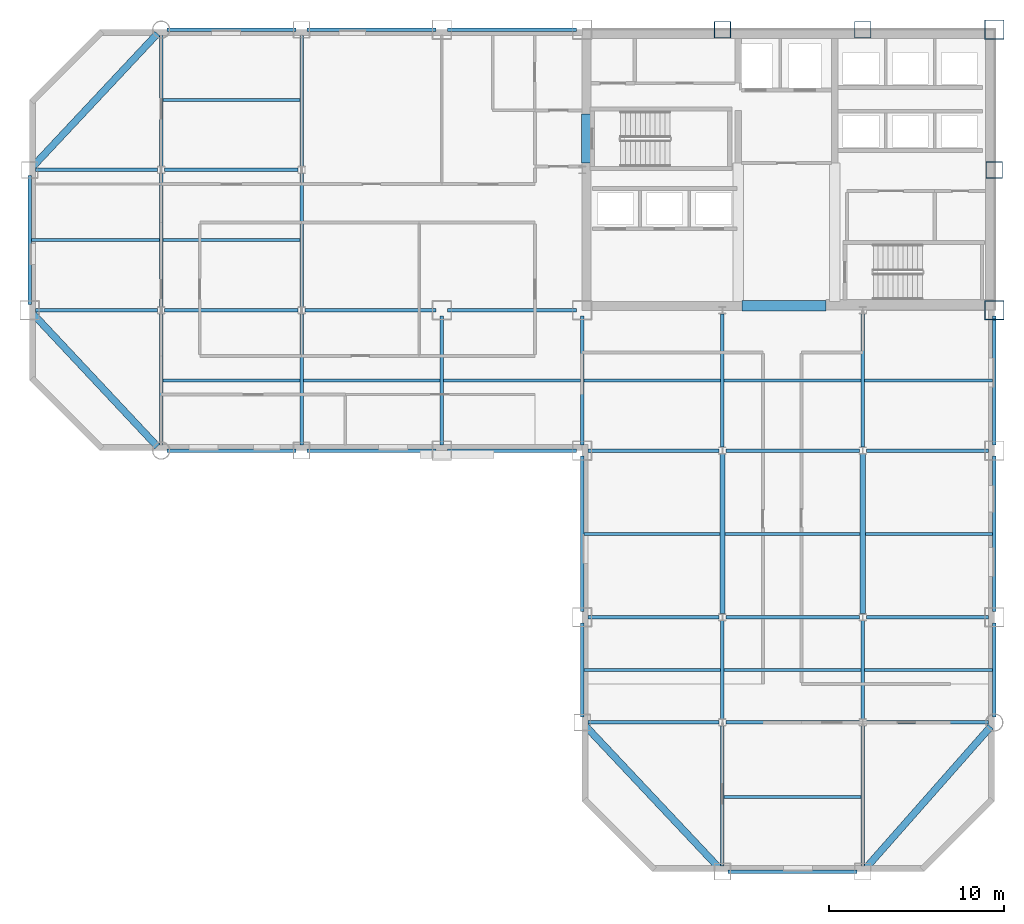
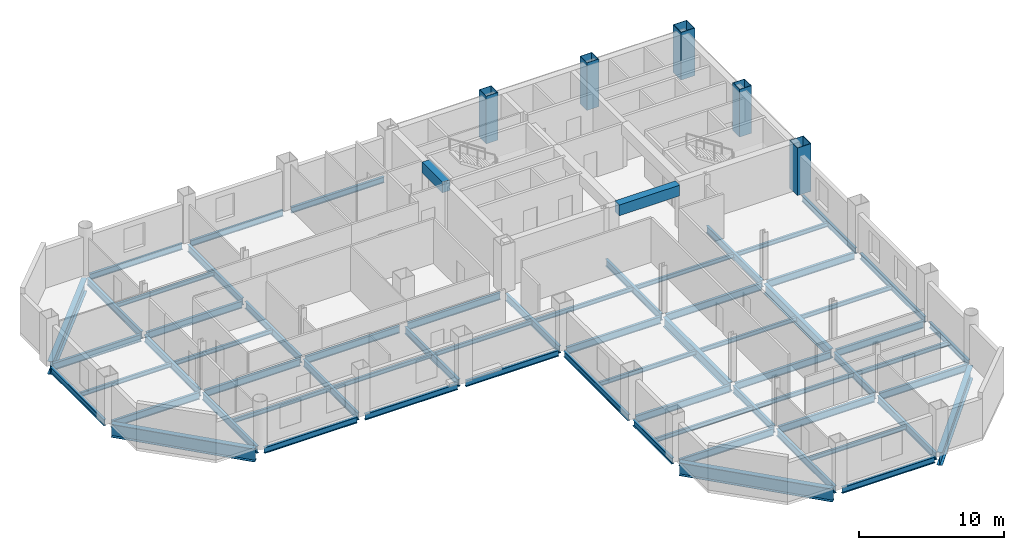
# One storey, part 4 of 10: 66 beams, 5 columns.
"""IFC4 building model written with IfcOpenShell, lengths in metres."""

from ifc_helpers import new_model, si_unit, direction, frame, origin, origin_2d, place, context, subcontext, project, spatial, rectangle, hollow_rectangle, i_section, extrude, material, material_profile, profile_set, type_object, element, save


model = new_model("IFC4")

# Units and contexts
model_context = context("Model", 3, precision=1e-05, world=origin(), true_north=direction((0.0, 1.0)))
body_context = subcontext(model_context, "Body", "Model", "MODEL_VIEW")
ifc_project = project(units=[si_unit("LENGTHUNIT", "METRE"), si_unit("AREAUNIT", "SQUARE_METRE"), si_unit("VOLUMEUNIT", "CUBIC_METRE"), si_unit("PLANEANGLEUNIT", "RADIAN"), si_unit("MASSUNIT", "GRAM", prefix="KILO")], contexts=[model_context])

# Site, building, storey
site_placement = place(None, origin())
site = spatial("IfcSite", under=ifc_project, at=site_placement, CompositionType="ELEMENT")
building_placement = place(site_placement, origin())
building = spatial("IfcBuilding", under=site, at=building_placement, Name="Qianrong Seaharbour Tower", CompositionType="ELEMENT")
storey_placement = place(building_placement, frame((0.0, 0.0, 131.0)))
storey = spatial("IfcBuildingStorey", under=building, at=storey_placement, Name="L31", CompositionType="ELEMENT", Elevation=131.0)

# Columns
ifc_material_1 = material(Name="Structural steel SN490B", Category="steel")
ifc_material_profile_1 = material_profile(ifc_material_1, hollow_rectangle(XDim=1.10009765625, YDim=1.10009765625, WallThickness=0.0400390625, at=origin_2d()), Name="BOX1100x1100x40")
ifc_profile_set_1 = profile_set([ifc_material_profile_1], Name="Structural steel SN490B")
column_type_1 = type_object("IfcColumnType", Name="COL-CFT-1100", PredefinedType="COLUMN", material=ifc_profile_set_1)
for number, where, z_axis, x_axis, name in (
    (1, (64.0, 36.0, 0.0), (0.0, 0.0, 1.0), (1.0, 0.0, 0.0), "L31 Column MC-3 at G9/GF"),
    (2, (64.0, 52.0, 0.0), (0.0, 0.0, 1.0), (1.0, 0.0, 0.0), "L31 Column MC-3 at G9/GH"),
):
    element("IfcColumn", number, at=place(storey_placement, frame(where, z_axis=z_axis, x_axis=x_axis)), inside=storey, type_object=column_type_1, Name=name, PredefinedType="COLUMN", context=body_context, shape_type="SweptSolid", body=[
        extrude(hollow_rectangle(XDim=1.10009765625, YDim=1.10009765625, WallThickness=0.0400390625, at=origin_2d()), origin(), (0.0, 0.0, 1.0), 4.0),
    ])
ifc_material_profile_2 = material_profile(ifc_material_1, hollow_rectangle(XDim=0.949951171875, YDim=0.949951171875, WallThickness=0.035888671875, at=origin_2d()), Name="BOX950x950x36")
ifc_profile_set_2 = profile_set([ifc_material_profile_2], Name="Structural steel SN490B")
column_type_2 = type_object("IfcColumnType", Name="COL-PER-950", PredefinedType="COLUMN", material=ifc_profile_set_2)
for number, where, z_axis, x_axis, name in (
    (3, (48.5, 52.0, 0.0), (0.0, 0.0, 1.0), (1.0, 0.0, 0.0), "L31 Column PC-2 at G7/GH"),
    (4, (56.5, 52.0, 0.0), (0.0, 0.0, 1.0), (1.0, 0.0, 0.0), "L31 Column PC-2 at G8/GH"),
    (5, (64.0, 44.0, 0.0), (0.0, 0.0, 1.0), (1.0, 0.0, 0.0), "L31 Column PC-2 at G9/GG"),
):
    element("IfcColumn", number, at=place(storey_placement, frame(where, z_axis=z_axis, x_axis=x_axis)), inside=storey, type_object=column_type_2, Name=name, PredefinedType="COLUMN", context=body_context, shape_type="SweptSolid", body=[
        extrude(hollow_rectangle(XDim=0.949951171875, YDim=0.949951171875, WallThickness=0.035888671875, at=origin_2d()), origin(), (0.0, 0.0, 1.0), 4.0),
    ])

# Beams
ifc_material_profile_3 = material_profile(ifc_material_1, i_section(OverallWidth=0.199951171875, OverallDepth=0.60009765625, WebThickness=0.010986328125, FlangeThickness=0.01708984375, FilletRadius=0.02197265625, at=origin_2d()), Name="H600x200x11x17")
ifc_profile_set_3 = profile_set([ifc_material_profile_3], Name="Structural steel SN490B")
beam_type_1 = type_object("IfcBeamType", Name="BM-G-600", PredefinedType="BEAM", material=ifc_profile_set_3)
beam_1_placement = place(storey_placement, frame((40.820068359375, 12.5, -0.534912109375), z_axis=(1.0, 0.0, 0.0), x_axis=(0.0, 1.0, 0.0)))
element("IfcBeam", 6, at=beam_1_placement, inside=storey, type_object=beam_type_1, Name="L31 Primary Girder GC G6-G7", PredefinedType="BEAM", context=body_context, shape_type="SweptSolid", body=[
    extrude(i_section(OverallWidth=0.199951171875, OverallDepth=0.60009765625, WebThickness=0.010986328125, FlangeThickness=0.01708984375, FilletRadius=0.02197265625, at=origin_2d()), origin(), (0.0, 0.0, 1.0), 7.47998046875),
])
beam_2_placement = place(storey_placement, frame((48.699951171875, 12.5, -0.534912109375), z_axis=(1.0, 0.0, 0.0), x_axis=(0.0, 1.0, 0.0)))
element("IfcBeam", 7, at=beam_2_placement, inside=storey, type_object=beam_type_1, Name="L31 Primary Girder GC G7-G8", PredefinedType="BEAM", context=body_context, shape_type="SweptSolid", body=[
    extrude(i_section(OverallWidth=0.199951171875, OverallDepth=0.60009765625, WebThickness=0.010986328125, FlangeThickness=0.01708984375, FilletRadius=0.02197265625, at=origin_2d()), origin(), (0.0, 0.0, 1.0), 7.60009765625),
])
beam_3_placement = place(storey_placement, frame((56.699951171875, 12.5, -0.534912109375), z_axis=(1.0, 0.0, 0.0), x_axis=(0.0, 1.0, 0.0)))
element("IfcBeam", 8, at=beam_3_placement, inside=storey, type_object=beam_type_1, Name="L31 Primary Girder GC G8-G9", PredefinedType="BEAM", context=body_context, shape_type="SweptSolid", body=[
    extrude(i_section(OverallWidth=0.199951171875, OverallDepth=0.60009765625, WebThickness=0.010986328125, FlangeThickness=0.01708984375, FilletRadius=0.02197265625, at=origin_2d()), origin(), (0.0, 0.0, 1.0), 6.97998046875),
])
beam_4_placement = place(storey_placement, frame((40.820068359375, 18.5, -0.534912109375), z_axis=(1.0, 0.0, 0.0), x_axis=(0.0, 1.0, 0.0)))
element("IfcBeam", 9, at=beam_4_placement, inside=storey, type_object=beam_type_1, Name="L31 Primary Girder GD G6-G7", PredefinedType="BEAM", context=body_context, shape_type="SweptSolid", body=[
    extrude(i_section(OverallWidth=0.199951171875, OverallDepth=0.60009765625, WebThickness=0.010986328125, FlangeThickness=0.01708984375, FilletRadius=0.02197265625, at=origin_2d()), origin(), (0.0, 0.0, 1.0), 7.47998046875),
])
beam_5_placement = place(storey_placement, frame((48.699951171875, 18.5, -0.534912109375), z_axis=(1.0, 0.0, 0.0), x_axis=(0.0, 1.0, 0.0)))
element("IfcBeam", 10, at=beam_5_placement, inside=storey, type_object=beam_type_1, Name="L31 Primary Girder GD G7-G8", PredefinedType="BEAM", context=body_context, shape_type="SweptSolid", body=[
    extrude(i_section(OverallWidth=0.199951171875, OverallDepth=0.60009765625, WebThickness=0.010986328125, FlangeThickness=0.01708984375, FilletRadius=0.02197265625, at=origin_2d()), origin(), (0.0, 0.0, 1.0), 7.60009765625),
])
beam_6_placement = place(storey_placement, frame((56.699951171875, 18.5, -0.534912109375), z_axis=(1.0, 0.0, 0.0), x_axis=(0.0, 1.0, 0.0)))
element("IfcBeam", 11, at=beam_6_placement, inside=storey, type_object=beam_type_1, Name="L31 Primary Girder GD G8-G9", PredefinedType="BEAM", context=body_context, shape_type="SweptSolid", body=[
    extrude(i_section(OverallWidth=0.199951171875, OverallDepth=0.60009765625, WebThickness=0.010986328125, FlangeThickness=0.01708984375, FilletRadius=0.02197265625, at=origin_2d()), origin(), (0.0, 0.0, 1.0), 6.97998046875),
])
beam_7_placement = place(storey_placement, frame((40.820068359375, 28.0, -0.534912109375), z_axis=(1.0, 0.0, 0.0), x_axis=(0.0, 1.0, 0.0)))
element("IfcBeam", 12, at=beam_7_placement, inside=storey, type_object=beam_type_1, Name="L31 Primary Girder GE G6-G7", PredefinedType="BEAM", context=body_context, shape_type="SweptSolid", body=[
    extrude(i_section(OverallWidth=0.199951171875, OverallDepth=0.60009765625, WebThickness=0.010986328125, FlangeThickness=0.01708984375, FilletRadius=0.02197265625, at=origin_2d()), origin(), (0.0, 0.0, 1.0), 7.47998046875),
])
beam_8_placement = place(storey_placement, frame((48.699951171875, 28.0, -0.534912109375), z_axis=(1.0, 0.0, 0.0), x_axis=(0.0, 1.0, 0.0)))
element("IfcBeam", 13, at=beam_8_placement, inside=storey, type_object=beam_type_1, Name="L31 Primary Girder GE G7-G8", PredefinedType="BEAM", context=body_context, shape_type="SweptSolid", body=[
    extrude(i_section(OverallWidth=0.199951171875, OverallDepth=0.60009765625, WebThickness=0.010986328125, FlangeThickness=0.01708984375, FilletRadius=0.02197265625, at=origin_2d()), origin(), (0.0, 0.0, 1.0), 7.60009765625),
])
for number, where, z_axis, x_axis, name in (
    (14, (56.699951171875, 28.0, -0.534912109375), (1.0, 0.0, 0.0), (0.0, 1.0, 0.0), "L31 Primary Girder GE G8-G9"),
    (15, (9.320068359375, 36.0, -0.534912109375), (1.0, 0.0, 0.0), (0.0, 1.0, 0.0), "L31 Primary Girder GF G2-G3"),
):
    element("IfcBeam", number, at=place(storey_placement, frame(where, z_axis=z_axis, x_axis=x_axis)), inside=storey, type_object=beam_type_1, Name=name, PredefinedType="BEAM", context=body_context, shape_type="SweptSolid", body=[
        extrude(i_section(OverallWidth=0.199951171875, OverallDepth=0.60009765625, WebThickness=0.010986328125, FlangeThickness=0.01708984375, FilletRadius=0.02197265625, at=origin_2d()), origin(), (0.0, 0.0, 1.0), 6.97998046875),
    ])
beam_9_placement = place(storey_placement, frame((16.699951171875, 36.0, -0.534912109375), z_axis=(1.0, 0.0, 0.0), x_axis=(0.0, 1.0, 0.0)))
element("IfcBeam", 16, at=beam_9_placement, inside=storey, type_object=beam_type_1, Name="L31 Primary Girder GF G3-G4", PredefinedType="BEAM", context=body_context, shape_type="SweptSolid", body=[
    extrude(i_section(OverallWidth=0.199951171875, OverallDepth=0.60009765625, WebThickness=0.010986328125, FlangeThickness=0.01708984375, FilletRadius=0.02197265625, at=origin_2d()), origin(), (0.0, 0.0, 1.0), 7.60009765625),
])
beam_10_placement = place(storey_placement, frame((24.699951171875, 36.0, -0.534912109375), z_axis=(1.0, 0.0, 0.0), x_axis=(0.0, 1.0, 0.0)))
element("IfcBeam", 17, at=beam_10_placement, inside=storey, type_object=beam_type_1, Name="L31 Primary Girder GF G4-G5", PredefinedType="BEAM", context=body_context, shape_type="SweptSolid", body=[
    extrude(i_section(OverallWidth=0.199951171875, OverallDepth=0.60009765625, WebThickness=0.010986328125, FlangeThickness=0.01708984375, FilletRadius=0.02197265625, at=origin_2d()), origin(), (0.0, 0.0, 1.0), 7.47998046875),
])
beam_11_placement = place(storey_placement, frame((32.820068359375, 36.0, -0.534912109375), z_axis=(1.0, 0.0, 0.0), x_axis=(0.0, 1.0, 0.0)))
element("IfcBeam", 18, at=beam_11_placement, inside=storey, type_object=beam_type_1, Name="L31 Primary Girder GF G5-G6", PredefinedType="BEAM", context=body_context, shape_type="SweptSolid", body=[
    extrude(i_section(OverallWidth=0.199951171875, OverallDepth=0.60009765625, WebThickness=0.010986328125, FlangeThickness=0.01708984375, FilletRadius=0.02197265625, at=origin_2d()), origin(), (0.0, 0.0, 1.0), 7.35986328125),
])
beam_12_placement = place(storey_placement, frame((9.320068359375, 44.0, -0.534912109375), z_axis=(1.0, 0.0, 0.0), x_axis=(0.0, 1.0, 0.0)))
element("IfcBeam", 19, at=beam_12_placement, inside=storey, type_object=beam_type_1, Name="L31 Primary Girder GG G2-G3", PredefinedType="BEAM", context=body_context, shape_type="SweptSolid", body=[
    extrude(i_section(OverallWidth=0.199951171875, OverallDepth=0.60009765625, WebThickness=0.010986328125, FlangeThickness=0.01708984375, FilletRadius=0.02197265625, at=origin_2d()), origin(), (0.0, 0.0, 1.0), 6.97998046875),
])
beam_13_placement = place(storey_placement, frame((16.699951171875, 44.0, -0.534912109375), z_axis=(1.0, 0.0, 0.0), x_axis=(0.0, 1.0, 0.0)))
element("IfcBeam", 20, at=beam_13_placement, inside=storey, type_object=beam_type_1, Name="L31 Primary Girder GG G3-G4", PredefinedType="BEAM", context=body_context, shape_type="SweptSolid", body=[
    extrude(i_section(OverallWidth=0.199951171875, OverallDepth=0.60009765625, WebThickness=0.010986328125, FlangeThickness=0.01708984375, FilletRadius=0.02197265625, at=origin_2d()), origin(), (0.0, 0.0, 1.0), 7.60009765625),
])
beam_14_placement = place(storey_placement, frame((16.5, 28.320068359375, -0.534912109375), z_axis=(0.0, 1.0, 0.0), x_axis=(-1.0, 0.0, 0.0)))
element("IfcBeam", 21, at=beam_14_placement, inside=storey, type_object=beam_type_1, Name="L31 Primary Girder G3 GE-GF", PredefinedType="BEAM", context=body_context, shape_type="SweptSolid", body=[
    extrude(i_section(OverallWidth=0.199951171875, OverallDepth=0.60009765625, WebThickness=0.010986328125, FlangeThickness=0.01708984375, FilletRadius=0.02197265625, at=origin_2d()), origin(), (0.0, 0.0, 1.0), 7.47998046875),
])
beam_15_placement = place(storey_placement, frame((16.5, 36.199951171875, -0.534912109375), z_axis=(0.0, 1.0, 0.0), x_axis=(-1.0, 0.0, 0.0)))
element("IfcBeam", 22, at=beam_15_placement, inside=storey, type_object=beam_type_1, Name="L31 Primary Girder G3 GF-GG", PredefinedType="BEAM", context=body_context, shape_type="SweptSolid", body=[
    extrude(i_section(OverallWidth=0.199951171875, OverallDepth=0.60009765625, WebThickness=0.010986328125, FlangeThickness=0.01708984375, FilletRadius=0.02197265625, at=origin_2d()), origin(), (0.0, 0.0, 1.0), 7.60009765625),
])
for number, where, z_axis, x_axis, name in (
    (23, (16.5, 44.199951171875, -0.534912109375), (0.0, 1.0, 0.0), (-1.0, 0.0, 0.0), "L31 Primary Girder G3 GG-GH"),
    (24, (24.5, 28.320068359375, -0.534912109375), (0.0, 1.0, 0.0), (-1.0, 0.0, 0.0), "L31 Primary Girder G4 GE-GF"),
):
    element("IfcBeam", number, at=place(storey_placement, frame(where, z_axis=z_axis, x_axis=x_axis)), inside=storey, type_object=beam_type_1, Name=name, PredefinedType="BEAM", context=body_context, shape_type="SweptSolid", body=[
        extrude(i_section(OverallWidth=0.199951171875, OverallDepth=0.60009765625, WebThickness=0.010986328125, FlangeThickness=0.01708984375, FilletRadius=0.02197265625, at=origin_2d()), origin(), (0.0, 0.0, 1.0), 7.47998046875),
    ])
beam_16_placement = place(storey_placement, frame((24.5, 36.199951171875, -0.534912109375), z_axis=(0.0, 1.0, 0.0), x_axis=(-1.0, 0.0, 0.0)))
element("IfcBeam", 25, at=beam_16_placement, inside=storey, type_object=beam_type_1, Name="L31 Primary Girder G4 GF-GG", PredefinedType="BEAM", context=body_context, shape_type="SweptSolid", body=[
    extrude(i_section(OverallWidth=0.199951171875, OverallDepth=0.60009765625, WebThickness=0.010986328125, FlangeThickness=0.01708984375, FilletRadius=0.02197265625, at=origin_2d()), origin(), (0.0, 0.0, 1.0), 7.60009765625),
])
beam_17_placement = place(storey_placement, frame((24.5, 44.199951171875, -0.534912109375), z_axis=(0.0, 1.0, 0.0), x_axis=(-1.0, 0.0, 0.0)))
element("IfcBeam", 26, at=beam_17_placement, inside=storey, type_object=beam_type_1, Name="L31 Primary Girder G4 GG-GH", PredefinedType="BEAM", context=body_context, shape_type="SweptSolid", body=[
    extrude(i_section(OverallWidth=0.199951171875, OverallDepth=0.60009765625, WebThickness=0.010986328125, FlangeThickness=0.01708984375, FilletRadius=0.02197265625, at=origin_2d()), origin(), (0.0, 0.0, 1.0), 7.47998046875),
])
for number, where, z_axis, x_axis, name in (
    (27, (32.5, 28.320068359375, -0.534912109375), (0.0, 1.0, 0.0), (-1.0, 0.0, 0.0), "L31 Primary Girder G5 GE-GF"),
    (28, (40.5, 28.320068359375, -0.534912109375), (0.0, 1.0, 0.0), (-1.0, 0.0, 0.0), "L31 Primary Girder G6 GE-GF"),
):
    element("IfcBeam", number, at=place(storey_placement, frame(where, z_axis=z_axis, x_axis=x_axis)), inside=storey, type_object=beam_type_1, Name=name, PredefinedType="BEAM", context=body_context, shape_type="SweptSolid", body=[
        extrude(i_section(OverallWidth=0.199951171875, OverallDepth=0.60009765625, WebThickness=0.010986328125, FlangeThickness=0.01708984375, FilletRadius=0.02197265625, at=origin_2d()), origin(), (0.0, 0.0, 1.0), 7.35986328125),
    ])
beam_18_placement = place(storey_placement, frame((48.5, 4.320068359375, -0.534912109375), z_axis=(0.0, 1.0, 0.0), x_axis=(-1.0, 0.0, 0.0)))
element("IfcBeam", 29, at=beam_18_placement, inside=storey, type_object=beam_type_1, Name="L31 Primary Girder G7 GB-GC", PredefinedType="BEAM", context=body_context, shape_type="SweptSolid", body=[
    extrude(i_section(OverallWidth=0.199951171875, OverallDepth=0.60009765625, WebThickness=0.010986328125, FlangeThickness=0.01708984375, FilletRadius=0.02197265625, at=origin_2d()), origin(), (0.0, 0.0, 1.0), 7.97998046875),
])
beam_19_placement = place(storey_placement, frame((48.5, 12.699951171875, -0.534912109375), z_axis=(0.0, 1.0, 0.0), x_axis=(-1.0, 0.0, 0.0)))
element("IfcBeam", 30, at=beam_19_placement, inside=storey, type_object=beam_type_1, Name="L31 Primary Girder G7 GC-GD", PredefinedType="BEAM", context=body_context, shape_type="SweptSolid", body=[
    extrude(i_section(OverallWidth=0.199951171875, OverallDepth=0.60009765625, WebThickness=0.010986328125, FlangeThickness=0.01708984375, FilletRadius=0.02197265625, at=origin_2d()), origin(), (0.0, 0.0, 1.0), 5.60009765625),
])
beam_20_placement = place(storey_placement, frame((48.5, 28.199951171875, -0.534912109375), z_axis=(0.0, 1.0, 0.0), x_axis=(-1.0, 0.0, 0.0)))
element("IfcBeam", 31, at=beam_20_placement, inside=storey, type_object=beam_type_1, Name="L31 Primary Girder G7 GE-GF", PredefinedType="BEAM", context=body_context, shape_type="SweptSolid", body=[
    extrude(i_section(OverallWidth=0.199951171875, OverallDepth=0.60009765625, WebThickness=0.010986328125, FlangeThickness=0.01708984375, FilletRadius=0.02197265625, at=origin_2d()), origin(), (0.0, 0.0, 1.0), 7.60009765625),
])
beam_21_placement = place(storey_placement, frame((56.5, 4.320068359375, -0.534912109375), z_axis=(0.0, 1.0, 0.0), x_axis=(-1.0, 0.0, 0.0)))
element("IfcBeam", 32, at=beam_21_placement, inside=storey, type_object=beam_type_1, Name="L31 Primary Girder G8 GB-GC", PredefinedType="BEAM", context=body_context, shape_type="SweptSolid", body=[
    extrude(i_section(OverallWidth=0.199951171875, OverallDepth=0.60009765625, WebThickness=0.010986328125, FlangeThickness=0.01708984375, FilletRadius=0.02197265625, at=origin_2d()), origin(), (0.0, 0.0, 1.0), 7.97998046875),
])
beam_22_placement = place(storey_placement, frame((56.5, 12.699951171875, -0.534912109375), z_axis=(0.0, 1.0, 0.0), x_axis=(-1.0, 0.0, 0.0)))
element("IfcBeam", 33, at=beam_22_placement, inside=storey, type_object=beam_type_1, Name="L31 Primary Girder G8 GC-GD", PredefinedType="BEAM", context=body_context, shape_type="SweptSolid", body=[
    extrude(i_section(OverallWidth=0.199951171875, OverallDepth=0.60009765625, WebThickness=0.010986328125, FlangeThickness=0.01708984375, FilletRadius=0.02197265625, at=origin_2d()), origin(), (0.0, 0.0, 1.0), 5.60009765625),
])
beam_23_placement = place(storey_placement, frame((56.5, 28.199951171875, -0.534912109375), z_axis=(0.0, 1.0, 0.0), x_axis=(-1.0, 0.0, 0.0)))
element("IfcBeam", 34, at=beam_23_placement, inside=storey, type_object=beam_type_1, Name="L31 Primary Girder G8 GE-GF", PredefinedType="BEAM", context=body_context, shape_type="SweptSolid", body=[
    extrude(i_section(OverallWidth=0.199951171875, OverallDepth=0.60009765625, WebThickness=0.010986328125, FlangeThickness=0.01708984375, FilletRadius=0.02197265625, at=origin_2d()), origin(), (0.0, 0.0, 1.0), 7.60009765625),
])
ifc_material_profile_4 = material_profile(ifc_material_1, i_section(OverallWidth=0.300048828125, OverallDepth=0.800048828125, WebThickness=0.013916015625, FlangeThickness=0.02587890625, FilletRadius=0.028076171875, at=origin_2d()), Name="H800x300x14x26")
ifc_profile_set_4 = profile_set([ifc_material_profile_4], Name="Structural steel SN490B")
beam_type_2 = type_object("IfcBeamType", Name="BM-G-800", PredefinedType="BEAM", material=ifc_profile_set_4)
for number, where, z_axis, x_axis, name in (
    (35, (48.5, 18.699951171875, -0.635009765625), (0.0, 1.0, 0.0), (-1.0, 0.0, 0.0), "L31 Primary Girder G7 GD-GE"),
    (36, (56.5, 18.699951171875, -0.635009765625), (0.0, 1.0, 0.0), (-1.0, 0.0, 0.0), "L31 Primary Girder G8 GD-GE"),
):
    element("IfcBeam", number, at=place(storey_placement, frame(where, z_axis=z_axis, x_axis=x_axis)), inside=storey, type_object=beam_type_2, Name=name, PredefinedType="BEAM", context=body_context, shape_type="SweptSolid", body=[
        extrude(i_section(OverallWidth=0.300048828125, OverallDepth=0.800048828125, WebThickness=0.013916015625, FlangeThickness=0.02587890625, FilletRadius=0.028076171875, at=origin_2d()), origin(), (0.0, 0.0, 1.0), 9.10009765625),
    ])
ifc_material_2 = material(Name="Structural steel SN400B", Category="steel")
ifc_material_profile_5 = material_profile(ifc_material_2, i_section(OverallWidth=0.175048828125, OverallDepth=0.35009765625, WebThickness=0.007080078125, FlangeThickness=0.010986328125, FilletRadius=0.013916015625, at=origin_2d()), Name="H350x175x7x11")
ifc_profile_set_5 = profile_set([ifc_material_profile_5], Name="Structural steel SN400B")
beam_type_3 = type_object("IfcBeamType", Name="BM-J-350", PredefinedType="JOIST", material=ifc_profile_set_5)
beam_24_placement = place(storey_placement, frame((9.10009765625, 40.0, -0.409912109375), z_axis=(1.0, 0.0, 0.0), x_axis=(0.0, 1.0, 0.0)))
element("IfcBeam", 37, at=beam_24_placement, inside=storey, type_object=beam_type_3, Name="L31 Composite Floor Joist G2-G3/GF-GG", PredefinedType="JOIST", context=body_context, shape_type="SweptSolid", body=[
    extrude(i_section(OverallWidth=0.175048828125, OverallDepth=0.35009765625, WebThickness=0.007080078125, FlangeThickness=0.010986328125, FilletRadius=0.013916015625, at=origin_2d()), origin(), (0.0, 0.0, 1.0), 7.2998046875),
])
for number, where, z_axis, x_axis, name in (
    (38, (16.60009765625, 32.0, -0.409912109375), (1.0, 0.0, 0.0), (0.0, 1.0, 0.0), "L31 Composite Floor Joist G3-G4/GE-GF"),
    (39, (16.60009765625, 40.0, -0.409912109375), (1.0, 0.0, 0.0), (0.0, 1.0, 0.0), "L31 Composite Floor Joist G3-G4/GF-GG"),
    (40, (16.60009765625, 48.0, -0.409912109375), (1.0, 0.0, 0.0), (0.0, 1.0, 0.0), "L31 Composite Floor Joist G3-G4/GG-GH"),
    (41, (24.60009765625, 32.0, -0.409912109375), (1.0, 0.0, 0.0), (0.0, 1.0, 0.0), "L31 Composite Floor Joist G4-G5/GE-GF"),
    (42, (32.60009765625, 32.0, -0.409912109375), (1.0, 0.0, 0.0), (0.0, 1.0, 0.0), "L31 Composite Floor Joist G5-G6/GE-GF"),
    (43, (40.60009765625, 15.5, -0.409912109375), (1.0, 0.0, 0.0), (0.0, 1.0, 0.0), "L31 Composite Floor Joist G6-G7/GC-GD"),
):
    element("IfcBeam", number, at=place(storey_placement, frame(where, z_axis=z_axis, x_axis=x_axis)), inside=storey, type_object=beam_type_3, Name=name, PredefinedType="JOIST", context=body_context, shape_type="SweptSolid", body=[
        extrude(i_section(OverallWidth=0.175048828125, OverallDepth=0.35009765625, WebThickness=0.007080078125, FlangeThickness=0.010986328125, FilletRadius=0.013916015625, at=origin_2d()), origin(), (0.0, 0.0, 1.0), 7.7998046875),
    ])
beam_25_placement = place(storey_placement, frame((40.60009765625, 23.25, -0.409912109375), z_axis=(1.0, 0.0, 0.0), x_axis=(0.0, 1.0, 0.0)))
element("IfcBeam", 44, at=beam_25_placement, inside=storey, type_object=beam_type_3, Name="L31 Composite Floor Joist G6-G7/GD-GE", PredefinedType="JOIST", context=body_context, shape_type="SweptSolid", body=[
    extrude(i_section(OverallWidth=0.175048828125, OverallDepth=0.35009765625, WebThickness=0.007080078125, FlangeThickness=0.010986328125, FilletRadius=0.013916015625, at=origin_2d()), origin(), (0.0, 0.0, 1.0), 7.75),
])
for number, where, z_axis, x_axis, name in (
    (45, (40.60009765625, 32.0, -0.409912109375), (1.0, 0.0, 0.0), (0.0, 1.0, 0.0), "L31 Composite Floor Joist G6-G7/GE-GF"),
    (46, (48.60009765625, 8.25, -0.409912109375), (1.0, 0.0, 0.0), (0.0, 1.0, 0.0), "L31 Composite Floor Joist G7-G8/GB-GC"),
    (47, (48.60009765625, 15.5, -0.409912109375), (1.0, 0.0, 0.0), (0.0, 1.0, 0.0), "L31 Composite Floor Joist G7-G8/GC-GD"),
):
    element("IfcBeam", number, at=place(storey_placement, frame(where, z_axis=z_axis, x_axis=x_axis)), inside=storey, type_object=beam_type_3, Name=name, PredefinedType="JOIST", context=body_context, shape_type="SweptSolid", body=[
        extrude(i_section(OverallWidth=0.175048828125, OverallDepth=0.35009765625, WebThickness=0.007080078125, FlangeThickness=0.010986328125, FilletRadius=0.013916015625, at=origin_2d()), origin(), (0.0, 0.0, 1.0), 7.7998046875),
    ])
beam_26_placement = place(storey_placement, frame((48.64990234375, 23.25, -0.409912109375), z_axis=(1.0, 0.0, 0.0), x_axis=(0.0, 1.0, 0.0)))
element("IfcBeam", 48, at=beam_26_placement, inside=storey, type_object=beam_type_3, Name="L31 Composite Floor Joist G7-G8/GD-GE", PredefinedType="JOIST", context=body_context, shape_type="SweptSolid", body=[
    extrude(i_section(OverallWidth=0.175048828125, OverallDepth=0.35009765625, WebThickness=0.007080078125, FlangeThickness=0.010986328125, FilletRadius=0.013916015625, at=origin_2d()), origin(), (0.0, 0.0, 1.0), 7.7001953125),
])
beam_27_placement = place(storey_placement, frame((48.60009765625, 32.0, -0.409912109375), z_axis=(1.0, 0.0, 0.0), x_axis=(0.0, 1.0, 0.0)))
element("IfcBeam", 49, at=beam_27_placement, inside=storey, type_object=beam_type_3, Name="L31 Composite Floor Joist G7-G8/GE-GF", PredefinedType="JOIST", context=body_context, shape_type="SweptSolid", body=[
    extrude(i_section(OverallWidth=0.175048828125, OverallDepth=0.35009765625, WebThickness=0.007080078125, FlangeThickness=0.010986328125, FilletRadius=0.013916015625, at=origin_2d()), origin(), (0.0, 0.0, 1.0), 7.7998046875),
])
beam_28_placement = place(storey_placement, frame((56.60009765625, 15.5, -0.409912109375), z_axis=(1.0, 0.0, 0.0), x_axis=(0.0, 1.0, 0.0)))
element("IfcBeam", 50, at=beam_28_placement, inside=storey, type_object=beam_type_3, Name="L31 Composite Floor Joist G8-G9/GC-GD", PredefinedType="JOIST", context=body_context, shape_type="SweptSolid", body=[
    extrude(i_section(OverallWidth=0.175048828125, OverallDepth=0.35009765625, WebThickness=0.007080078125, FlangeThickness=0.010986328125, FilletRadius=0.013916015625, at=origin_2d()), origin(), (0.0, 0.0, 1.0), 7.2998046875),
])
beam_29_placement = place(storey_placement, frame((56.64990234375, 23.25, -0.409912109375), z_axis=(1.0, 0.0, 0.0), x_axis=(0.0, 1.0, 0.0)))
element("IfcBeam", 51, at=beam_29_placement, inside=storey, type_object=beam_type_3, Name="L31 Composite Floor Joist G8-G9/GD-GE", PredefinedType="JOIST", context=body_context, shape_type="SweptSolid", body=[
    extrude(i_section(OverallWidth=0.175048828125, OverallDepth=0.35009765625, WebThickness=0.007080078125, FlangeThickness=0.010986328125, FilletRadius=0.013916015625, at=origin_2d()), origin(), (0.0, 0.0, 1.0), 7.25),
])
beam_30_placement = place(storey_placement, frame((56.60009765625, 32.0, -0.409912109375), z_axis=(1.0, 0.0, 0.0), x_axis=(0.0, 1.0, 0.0)))
element("IfcBeam", 52, at=beam_30_placement, inside=storey, type_object=beam_type_3, Name="L31 Composite Floor Joist G8-G9/GE-GF", PredefinedType="JOIST", context=body_context, shape_type="SweptSolid", body=[
    extrude(i_section(OverallWidth=0.175048828125, OverallDepth=0.35009765625, WebThickness=0.007080078125, FlangeThickness=0.010986328125, FilletRadius=0.013916015625, at=origin_2d()), origin(), (0.0, 0.0, 1.0), 7.2998046875),
])
ifc_material_3 = material(Name="Concrete C70/85", Category="concrete")
ifc_material_profile_6 = material_profile(ifc_material_3, rectangle(XDim=0.60009765625, YDim=0.89990234375, at=origin_2d()), Name="RC600x900")
ifc_profile_set_6 = profile_set([ifc_material_profile_6], Name="Concrete C70/85")
beam_type_4 = type_object("IfcBeamType", Name="BM-LINTEL-900", PredefinedType="LINTEL", material=ifc_profile_set_6)
beam_31_placement = place(storey_placement, frame((40.75, 44.39990234375, 3.31494140625), z_axis=(0.0, 1.0, 0.0), x_axis=(-1.0, 0.0, 0.0)))
element("IfcBeam", 53, at=beam_31_placement, inside=storey, type_object=beam_type_4, Name="L31 Core Coupling Lintel Beam West", PredefinedType="LINTEL", context=body_context, shape_type="SweptSolid", body=[
    extrude(rectangle(XDim=0.60009765625, YDim=0.89990234375, at=origin_2d()), origin(), (0.0, 0.0, 1.0), 2.800048828125),
])
beam_32_placement = place(storey_placement, frame((49.60009765625, 36.25, 3.31494140625), z_axis=(1.0, 0.0, 0.0), x_axis=(0.0, 1.0, 0.0)))
element("IfcBeam", 54, at=beam_32_placement, inside=storey, type_object=beam_type_4, Name="L31 Core Coupling Lintel Beam CBC", PredefinedType="LINTEL", context=body_context, shape_type="SweptSolid", body=[
    extrude(rectangle(XDim=0.60009765625, YDim=0.89990234375, at=origin_2d()), origin(), (0.0, 0.0, 1.0), 4.7998046875),
])
ifc_material_profile_7 = material_profile(ifc_material_1, i_section(OverallWidth=0.199951171875, OverallDepth=0.5, WebThickness=0.010009765625, FlangeThickness=0.01611328125, FilletRadius=0.02001953125, at=origin_2d()), Name="H500x200x10x16")
ifc_profile_set_7 = profile_set([ifc_material_profile_7], Name="Structural steel SN490B")
beam_type_5 = type_object("IfcBeamType", Name="BM-SP-500", PredefinedType="SPANDREL", material=ifc_profile_set_7)
for number, where, z_axis, x_axis, name in (
    (55, (48.820068359375, 4.0, -0.485107421875), (1.0, 0.0, 0.0), (0.0, 1.0, 0.0), "L31 Spandrel Girder GB G7-G8"),
    (56, (16.820068359375, 28.0, -0.485107421875), (1.0, 0.0, 0.0), (0.0, 1.0, 0.0), "L31 Spandrel Girder GE G3-G4"),
    (57, (24.820068359375, 28.0, -0.485107421875), (1.0, 0.0, 0.0), (0.0, 1.0, 0.0), "L31 Spandrel Girder GE G4-G5"),
    (58, (32.820068359375, 28.0, -0.485107421875), (1.0, 0.0, 0.0), (0.0, 1.0, 0.0), "L31 Spandrel Girder GE G5-G6"),
    (59, (16.820068359375, 52.0, -0.485107421875), (1.0, 0.0, 0.0), (0.0, 1.0, 0.0), "L31 Spandrel Girder GH G3-G4"),
    (60, (24.820068359375, 52.0, -0.485107421875), (1.0, 0.0, 0.0), (0.0, 1.0, 0.0), "L31 Spandrel Girder GH G4-G5"),
    (61, (32.820068359375, 52.0, -0.485107421875), (1.0, 0.0, 0.0), (0.0, 1.0, 0.0), "L31 Spandrel Girder GH G5-G6"),
    (62, (9.0, 36.320068359375, -0.485107421875), (0.0, 1.0, 0.0), (-1.0, 0.0, 0.0), "L31 Spandrel Girder G2 GF-GG"),
):
    element("IfcBeam", number, at=place(storey_placement, frame(where, z_axis=z_axis, x_axis=x_axis)), inside=storey, type_object=beam_type_5, Name=name, PredefinedType="SPANDREL", context=body_context, shape_type="SweptSolid", body=[
        extrude(i_section(OverallWidth=0.199951171875, OverallDepth=0.5, WebThickness=0.010009765625, FlangeThickness=0.01611328125, FilletRadius=0.02001953125, at=origin_2d()), origin(), (0.0, 0.0, 1.0), 7.35986328125),
    ])
beam_33_placement = place(storey_placement, frame((40.5, 12.820068359375, -0.485107421875), z_axis=(0.0, 1.0, 0.0), x_axis=(-1.0, 0.0, 0.0)))
element("IfcBeam", 63, at=beam_33_placement, inside=storey, type_object=beam_type_5, Name="L31 Spandrel Girder G6 GC-GD", PredefinedType="SPANDREL", context=body_context, shape_type="SweptSolid", body=[
    extrude(i_section(OverallWidth=0.199951171875, OverallDepth=0.5, WebThickness=0.010009765625, FlangeThickness=0.01611328125, FilletRadius=0.02001953125, at=origin_2d()), origin(), (0.0, 0.0, 1.0), 5.35986328125),
])
beam_34_placement = place(storey_placement, frame((40.5, 18.820068359375, -0.485107421875), z_axis=(0.0, 1.0, 0.0), x_axis=(-1.0, 0.0, 0.0)))
element("IfcBeam", 64, at=beam_34_placement, inside=storey, type_object=beam_type_5, Name="L31 Spandrel Girder G6 GD-GE", PredefinedType="SPANDREL", context=body_context, shape_type="SweptSolid", body=[
    extrude(i_section(OverallWidth=0.199951171875, OverallDepth=0.5, WebThickness=0.010009765625, FlangeThickness=0.01611328125, FilletRadius=0.02001953125, at=origin_2d()), origin(), (0.0, 0.0, 1.0), 8.85986328125),
])
beam_35_placement = place(storey_placement, frame((64.0, 12.820068359375, -0.485107421875), z_axis=(0.0, 1.0, 0.0), x_axis=(-1.0, 0.0, 0.0)))
element("IfcBeam", 65, at=beam_35_placement, inside=storey, type_object=beam_type_5, Name="L31 Spandrel Girder G9 GC-GD", PredefinedType="SPANDREL", context=body_context, shape_type="SweptSolid", body=[
    extrude(i_section(OverallWidth=0.199951171875, OverallDepth=0.5, WebThickness=0.010009765625, FlangeThickness=0.01611328125, FilletRadius=0.02001953125, at=origin_2d()), origin(), (0.0, 0.0, 1.0), 5.35986328125),
])
beam_36_placement = place(storey_placement, frame((64.0, 18.820068359375, -0.485107421875), z_axis=(0.0, 1.0, 0.0), x_axis=(-1.0, 0.0, 0.0)))
element("IfcBeam", 66, at=beam_36_placement, inside=storey, type_object=beam_type_5, Name="L31 Spandrel Girder G9 GD-GE", PredefinedType="SPANDREL", context=body_context, shape_type="SweptSolid", body=[
    extrude(i_section(OverallWidth=0.199951171875, OverallDepth=0.5, WebThickness=0.010009765625, FlangeThickness=0.01611328125, FilletRadius=0.02001953125, at=origin_2d()), origin(), (0.0, 0.0, 1.0), 8.85986328125),
])
beam_37_placement = place(storey_placement, frame((64.0, 28.320068359375, -0.485107421875), z_axis=(0.0, 1.0, 0.0), x_axis=(-1.0, 0.0, 0.0)))
element("IfcBeam", 67, at=beam_37_placement, inside=storey, type_object=beam_type_5, Name="L31 Spandrel Girder G9 GE-GF", PredefinedType="SPANDREL", context=body_context, shape_type="SweptSolid", body=[
    extrude(i_section(OverallWidth=0.199951171875, OverallDepth=0.5, WebThickness=0.010009765625, FlangeThickness=0.01611328125, FilletRadius=0.02001953125, at=origin_2d()), origin(), (0.0, 0.0, 1.0), 7.35986328125),
])
ifc_material_profile_8 = material_profile(ifc_material_1, i_section(OverallWidth=0.39990234375, OverallDepth=1.10009765625, WebThickness=0.02001953125, FlangeThickness=0.035888671875, at=origin_2d()), Name="BH1100x400x20x36")
ifc_profile_set_8 = profile_set([ifc_material_profile_8], Name="Structural steel SN490B")
beam_type_6 = type_object("IfcBeamType", Name="BM-TG-1100", PredefinedType="BEAM", material=ifc_profile_set_8)
for number, where, z_axis, x_axis, name in (
    (68, (16.28125, 28.2333984375, -0.784912109375), (-0.683947420573, 0.729531305628, 0.0), (-0.729531305628, -0.683947420573, 0.0), "L31 Chamfer Corner Spandrel Girder G2/GE"),
    (69, (16.28125, 51.7666015625, -0.784912109375), (-0.683947420573, -0.729531305628, 0.0), (0.729531305628, -0.683947420573, 0.0), "L31 Chamfer Corner Spandrel Girder G2/GH"),
):
    element("IfcBeam", number, at=place(storey_placement, frame(where, z_axis=z_axis, x_axis=x_axis)), inside=storey, type_object=beam_type_6, Name=name, PredefinedType="BEAM", context=body_context, shape_type="SweptSolid", body=[
        extrude(i_section(OverallWidth=0.39990234375, OverallDepth=1.10009765625, WebThickness=0.02001953125, FlangeThickness=0.035888671875, at=origin_2d()), origin(), (0.0, 0.0, 1.0), 10.326171875),
    ])
beam_38_placement = place(storey_placement, frame((48.28076171875, 4.23291015625, -0.784912109375), z_axis=(-0.685361938021, 0.728202591256, 0.0), x_axis=(-0.728202591256, -0.685361938021, 0.0)))
element("IfcBeam", 70, at=beam_38_placement, inside=storey, type_object=beam_type_6, Name="L31 Chamfer Corner Spandrel Girder G6/GB", PredefinedType="BEAM", context=body_context, shape_type="SweptSolid", body=[
    extrude(i_section(OverallWidth=0.39990234375, OverallDepth=1.10009765625, WebThickness=0.02001953125, FlangeThickness=0.035888671875, at=origin_2d()), origin(), (0.0, 0.0, 1.0), 11.032958984375),
])
beam_39_placement = place(storey_placement, frame((56.711669921875, 4.239990234375, -0.784912109375), z_axis=(0.661630696334, 0.749829861815, 0.0), x_axis=(-0.749829861815, 0.661630696334, 0.0)))
element("IfcBeam", 71, at=beam_39_placement, inside=storey, type_object=beam_type_6, Name="L31 Chamfer Corner Spandrel Girder G9/GB", PredefinedType="BEAM", context=body_context, shape_type="SweptSolid", body=[
    extrude(i_section(OverallWidth=0.39990234375, OverallDepth=1.10009765625, WebThickness=0.02001953125, FlangeThickness=0.035888671875, at=origin_2d()), origin(), (0.0, 0.0, 1.0), 10.69580078125),
])

save(model, "model.ifc")
